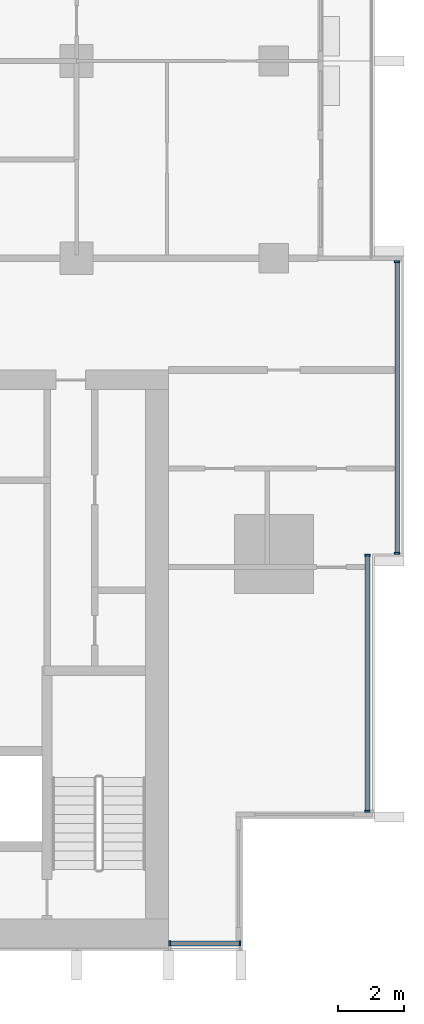
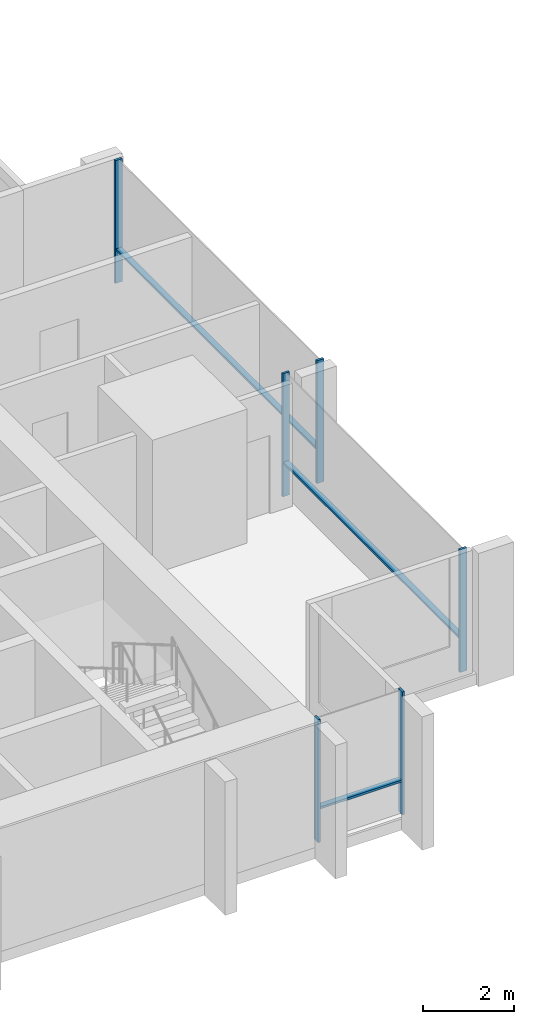
# One storey, part 3 of 17: 9 members, 3 elements without a shape of their own.
"""IFC4 building model written with IfcOpenShell, lengths in metres."""

import ifcopenshell
import ifcopenshell.guid

model = None  # the IFC model being written
_history = None  # IfcOwnerHistory: only IFC2X3 demands one
_inside = {}  # id of a spatial element -> (the spatial element, [elements in it])
_under = {}  # id of a project, library or spatial element -> (it, [spatial elements below it])
_declared = {}  # id of a project -> (the project, [libraries it declares])
_typed = {}  # id of a type object -> (the type object, [elements of that type])
_made_of = {}  # id of a material, layer set ... -> (it, [elements and type objects made of it])


def new_model(schema):
    """Start an empty IFC model of exactly this schema.

    Asked for "IFC4X3", IfcOpenShell would pick the latest addendum, in which some entities
    have other attributes; the version numbers below select the first issue.
    IFC2X3 requires an IfcOwnerHistory on every rooted entity: one is made here for all.
    """
    global model, _history
    if schema == "IFC4X3":
        model = ifcopenshell.file(schema_version=(4, 3, 0, 0))
    else:
        model = ifcopenshell.file(schema=schema)
    _inside.clear()
    _under.clear()
    _declared.clear()
    _typed.clear()
    _made_of.clear()
    _history = None
    if model.schema == "IFC2X3":
        org = make("IfcOrganization", Name="unknown")
        user = make(
            "IfcPersonAndOrganization",
            ThePerson=make("IfcPerson", FamilyName="unknown"),
            TheOrganization=org,
        )
        app = make(
            "IfcApplication",
            ApplicationDeveloper=org,
            Version="unknown",
            ApplicationFullName="unknown",
            ApplicationIdentifier="unknown",
        )
        _history = make(
            "IfcOwnerHistory",
            OwningUser=user,
            OwningApplication=app,
            ChangeAction="ADDED",
            CreationDate=0,
        )
    return model


def make(cls, **values):
    """One entity of the class cls with the attributes given. An attribute that is None is left unset."""
    return model.create_entity(
        cls, **{name: value for name, value in values.items() if value is not None}
    )


def rooted(cls, **values):
    """An entity with a GlobalId (a new one), such as an element, a storey or a relation."""
    return make(cls, GlobalId=ifcopenshell.guid.new(), OwnerHistory=_history, **values)


def si_unit(unit_type, name, prefix=None):
    """IfcSIUnit, for example si_unit("LENGTHUNIT", "METRE", prefix="MILLI")."""
    return make("IfcSIUnit", UnitType=unit_type, Prefix=prefix, Name=name)


def assignment(units):
    """IfcUnitAssignment: the units of a project."""
    return None if units is None else make("IfcUnitAssignment", Units=units)


def point(xyz):
    """IfcCartesianPoint."""
    return None if xyz is None else make("IfcCartesianPoint", Coordinates=xyz)


def direction(xyz):
    """IfcDirection."""
    return None if xyz is None else make("IfcDirection", DirectionRatios=xyz)


def frame(location, z_axis=None, x_axis=None):
    """IfcAxis2Placement3D, a coordinate frame: its origin and axes. An axis left out is left unset."""
    return make(
        "IfcAxis2Placement3D",
        Location=point(location),
        Axis=direction(z_axis),
        RefDirection=direction(x_axis),
    )


def frame_2d(location, x_axis=None):
    """IfcAxis2Placement2D, a coordinate frame in the plane: its origin and x axis."""
    return make(
        "IfcAxis2Placement2D", Location=point(location), RefDirection=direction(x_axis)
    )


def origin():
    """The frame at (0, 0, 0) with its axes left unset."""
    return frame((0.0, 0.0, 0.0))


def origin_2d():
    """The frame at (0, 0) in the plane with its x axis left unset."""
    return frame_2d((0.0, 0.0))


def place(relative_to, where):
    """IfcLocalPlacement: puts the frame where relative to a parent placement (None: the world)."""
    return make(
        "IfcLocalPlacement", PlacementRelTo=relative_to, RelativePlacement=where
    )


def context(
    kind, dimensions, precision=None, world=None, true_north=None, identifier=None
):
    """IfcGeometricRepresentationContext, for example the 3D "Model" context."""
    return make(
        "IfcGeometricRepresentationContext",
        ContextIdentifier=identifier,
        ContextType=kind,
        CoordinateSpaceDimension=dimensions,
        Precision=precision,
        WorldCoordinateSystem=world,
        TrueNorth=true_north,
    )


def subcontext(parent, identifier, kind, view, scale=None):
    """IfcGeometricRepresentationSubContext, for example "Body" below "Model"."""
    return make(
        "IfcGeometricRepresentationSubContext",
        ContextIdentifier=identifier,
        ContextType=kind,
        ParentContext=parent,
        TargetScale=scale,
        TargetView=view,
    )


def project(units=None, contexts=None):
    """IfcProject with its units and contexts."""
    return rooted(
        "IfcProject",
        Name="project",
        RepresentationContexts=contexts,
        UnitsInContext=assignment(units),
    )


def spatial(cls, under=None, at=None, **own):
    """A site, building, storey or space (cls), placed at a placement, below another one or the project."""
    s = rooted(cls, ObjectPlacement=at, **own)
    if under is not None:
        _under.setdefault(under.id(), (under, []))[1].append(s)
    return s


def profile(cls, at=None, kind="AREA", **sizes):
    """A parametric profile (cls). Its sizes go by their IFC names, for example OverallWidth=200.0."""
    return make(cls, ProfileType=kind, Position=at, **sizes)


def rectangle(**sizes):
    """IfcRectangleProfileDef."""
    return profile("IfcRectangleProfileDef", **sizes)


def extrude(swept, where, along, depth):
    """IfcExtrudedAreaSolid: the profile swept, set in the frame where, extruded along a direction by depth."""
    return make(
        "IfcExtrudedAreaSolid",
        SweptArea=swept,
        Position=where,
        ExtrudedDirection=direction(along),
        Depth=depth,
    )


def shape(context_of_items, identifier, shape_type, items):
    """IfcShapeRepresentation: the items that make up one representation, for example the "Body"."""
    return make(
        "IfcShapeRepresentation",
        ContextOfItems=context_of_items,
        RepresentationIdentifier=identifier,
        RepresentationType=shape_type,
        Items=items,
    )


def material(Name=None, Category=None):
    """IfcMaterial."""
    return make("IfcMaterial", Name=Name, Category=Category)


def material_profile(
    of_material, cross_section, Name=None, Category=None, Priority=None
):
    """IfcMaterialProfile: a cross section and its material."""
    return make(
        "IfcMaterialProfile",
        Name=Name,
        Material=of_material,
        Profile=cross_section,
        Priority=Priority,
        Category=Category,
    )


def profile_set(profiles, Name=None, composite=None):
    """IfcMaterialProfileSet."""
    return make(
        "IfcMaterialProfileSet",
        Name=Name,
        MaterialProfiles=profiles,
        CompositeProfile=composite,
    )


def made_of(thing, what):
    """Note that an element or type object is made of a material, layer set ...; save() writes the relation."""
    if what is not None:
        _made_of.setdefault(what.id(), (what, []))[1].append(thing)
    return thing


def type_object(cls, material=None, **own):
    """A type object (cls), such as IfcWallType, which elements share."""
    return made_of(rooted(cls, **own), material)


def element(
    cls,
    number,
    at=None,
    inside=None,
    cuts=None,
    type_object=None,
    material=None,
    context=None,
    identifier="Body",
    shape_type=None,
    held_by="IfcProductDefinitionShape",
    body=None,
    shapes=None,
    **own,
):
    """One element of the class cls, such as IfcWall. Its Tag is "e" and its number.

    at: its placement. inside: the storey or other place that contains it. cuts: it is an
    opening in that element (IfcRelVoidsElement). A single representation is given by context,
    identifier, shape_type and body (its items); several are given by shapes. held_by: the class
    of the entity that holds the representations. save() writes the other relations.
    """
    e = rooted(cls, Tag="e%d" % number, ObjectPlacement=at, **own)
    if body is not None:
        shapes = [shape(context, identifier, shape_type, body)]
    if shapes is not None:
        e.Representation = make(held_by, Representations=shapes)
    if inside is not None:
        _inside.setdefault(inside.id(), (inside, []))[1].append(e)
    if cuts is not None:
        rooted(
            "IfcRelVoidsElement", RelatingBuildingElement=cuts, RelatedOpeningElement=e
        )
    if type_object is not None:
        _typed.setdefault(type_object.id(), (type_object, []))[1].append(e)
    return made_of(e, material)


def aggregate(whole, parts):
    """IfcRelAggregates: a whole, such as a stair, and the parts it consists of."""
    return rooted("IfcRelAggregates", RelatingObject=whole, RelatedObjects=parts)


def save(model, path):
    """Write the relations noted so far, then the file.

    IfcRelAggregates (storeys below a building ...), IfcRelContainedInSpatialStructure (elements
    in a storey), IfcRelDefinesByType, IfcRelAssociatesMaterial and IfcRelDeclares: one each for
    every whole, place, type object, material and project.
    """
    for whole, parts in _under.values():
        aggregate(whole, parts)
    for where, things in _inside.values():
        rooted(
            "IfcRelContainedInSpatialStructure",
            RelatedElements=things,
            RelatingStructure=where,
        )
    for kind, things in _typed.values():
        rooted("IfcRelDefinesByType", RelatedObjects=things, RelatingType=kind)
    for what, things in _made_of.values():
        rooted("IfcRelAssociatesMaterial", RelatedObjects=things, RelatingMaterial=what)
    for by, libraries in _declared.values():
        rooted("IfcRelDeclares", RelatingContext=by, RelatedDefinitions=libraries)
    model.write(path)


model = new_model("IFC4")

# Units and contexts
model_context = context("Model", 3, precision=1e-05, world=origin(), true_north=direction((0.0, 1.0)))
body_context = subcontext(model_context, "Body", "Model", "MODEL_VIEW")
ifc_project = project(units=[si_unit("LENGTHUNIT", "METRE"), si_unit("AREAUNIT", "SQUARE_METRE"), si_unit("VOLUMEUNIT", "CUBIC_METRE"), si_unit("PLANEANGLEUNIT", "RADIAN"), si_unit("MASSUNIT", "GRAM", prefix="KILO")], contexts=[model_context])

# Site, building, storey
site_placement = place(None, origin())
site = spatial("IfcSite", under=ifc_project, at=site_placement, CompositionType="ELEMENT")
building_placement = place(site_placement, origin())
building = spatial("IfcBuilding", under=site, at=building_placement, Name="Finial Court Residences", CompositionType="ELEMENT")
storey_placement = place(building_placement, frame((0.0, 0.0, 152.89990234375)))
storey = spatial("IfcBuildingStorey", under=building, at=storey_placement, Name="L37", CompositionType="ELEMENT", Elevation=152.89990234375)

# Curtain wall, members
ifc_material = material(Name="Bronze anodised aluminium", Category="aluminium")
curtain_wall_type = type_object("IfcCurtainWallType", Name="Unitised curtain wall, upper zones", PredefinedType="NOTDEFINED", material=ifc_material)
curtain_wall_1_placement = place(storey_placement, origin())
curtain_wall_1 = element("IfcCurtainWall", 1, at=curtain_wall_1_placement, inside=storey, type_object=curtain_wall_type, Name="E-L37-CW-E4", PredefinedType="NOTDEFINED")
ifc_material_profile_1 = material_profile(ifc_material, rectangle(XDim=0.175048828125, YDim=0.06005859375, at=origin_2d()), Name="CW2 mullion 60 x 175")
ifc_profile_set_1 = profile_set([ifc_material_profile_1], Name="Bronze anodised aluminium")
member_type_1 = type_object("IfcMemberType", Name="CW2 mullion 60 x 175", PredefinedType="MULLION", material=ifc_profile_set_1)
member_1_placement = place(storey_placement, frame((19.35009765625, -21.320068359375, 0.0), z_axis=(0.0, 0.0, 1.0), x_axis=(-1.0, 0.0, 0.0)))
member_1 = element("IfcMember", 2, at=member_1_placement, type_object=member_type_1, Name="CW2 mullion 1", PredefinedType="MULLION", context=body_context, shape_type="SweptSolid", body=[
    extrude(rectangle(XDim=0.175048828125, YDim=0.06005859375, at=origin_2d()), origin(), (0.0, 0.0, 1.0), 3.300048828125),
])
member_2_placement = place(storey_placement, frame((19.35009765625, -13.530029296875, 0.0), z_axis=(0.0, 0.0, 1.0), x_axis=(-1.0, 0.0, 0.0)))
member_2 = element("IfcMember", 3, at=member_2_placement, type_object=member_type_1, Name="CW2 mullion 2", PredefinedType="MULLION", context=body_context, shape_type="SweptSolid", body=[
    extrude(rectangle(XDim=0.175048828125, YDim=0.06005859375, at=origin_2d()), origin(), (0.0, 0.0, 1.0), 3.300048828125),
])

curtain_wall_2_placement = place(storey_placement, origin())
curtain_wall_2 = element("IfcCurtainWall", 4, at=curtain_wall_2_placement, inside=storey, type_object=curtain_wall_type, Name="E-L37-CW-E5", PredefinedType="NOTDEFINED")
member_3_placement = place(storey_placement, frame((20.25, -13.469970703125, 0.0), z_axis=(0.0, 0.0, 1.0), x_axis=(-1.0, 0.0, 0.0)))
member_3 = element("IfcMember", 5, at=member_3_placement, type_object=member_type_1, Name="CW2 mullion 1", PredefinedType="MULLION", context=body_context, shape_type="SweptSolid", body=[
    extrude(rectangle(XDim=0.175048828125, YDim=0.06005859375, at=origin_2d()), origin(), (0.0, 0.0, 1.0), 3.300048828125),
])
member_4_placement = place(storey_placement, frame((20.25, -4.60498046875, 0.0), z_axis=(0.0, 0.0, 1.0), x_axis=(-1.0, 0.0, 0.0)))
member_4 = element("IfcMember", 6, at=member_4_placement, type_object=member_type_1, Name="CW2 mullion 2", PredefinedType="MULLION", context=body_context, shape_type="SweptSolid", body=[
    extrude(rectangle(XDim=0.175048828125, YDim=0.06005859375, at=origin_2d()), origin(), (0.0, 0.0, 1.0), 3.300048828125),
])

curtain_wall_3_placement = place(storey_placement, origin())
curtain_wall_3 = element("IfcCurtainWall", 7, at=curtain_wall_3_placement, inside=storey, type_object=curtain_wall_type, Name="E-L37-CW-S8", PredefinedType="NOTDEFINED")
member_5_placement = place(storey_placement, frame((13.330078125, -25.35009765625, 0.0), z_axis=(0.0, 0.0, 1.0), x_axis=(0.0, 1.0, 0.0)))
member_5 = element("IfcMember", 8, at=member_5_placement, type_object=member_type_1, Name="CW2 mullion 1", PredefinedType="MULLION", context=body_context, shape_type="SweptSolid", body=[
    extrude(rectangle(XDim=0.175048828125, YDim=0.06005859375, at=origin_2d()), origin(), (0.0, 0.0, 1.0), 3.300048828125),
])
member_6_placement = place(storey_placement, frame((15.469970703125, -25.35009765625, 0.0), z_axis=(0.0, 0.0, 1.0), x_axis=(0.0, 1.0, 0.0)))
member_6 = element("IfcMember", 9, at=member_6_placement, type_object=member_type_1, Name="CW2 mullion 2", PredefinedType="MULLION", context=body_context, shape_type="SweptSolid", body=[
    extrude(rectangle(XDim=0.175048828125, YDim=0.06005859375, at=origin_2d()), origin(), (0.0, 0.0, 1.0), 3.300048828125),
])

# Member
ifc_material_profile_2 = material_profile(ifc_material, rectangle(XDim=0.139892578125, YDim=0.06005859375, at=origin_2d()), Name="CW2 transom 60 x 140")
ifc_profile_set_2 = profile_set([ifc_material_profile_2], Name="Bronze anodised aluminium")
member_type_2 = type_object("IfcMemberType", Name="CW2 transom 60 x 140", PredefinedType="USERDEFINED", material=ifc_profile_set_2)
member_7_placement = place(storey_placement, frame((19.35009765625, -21.2900390625, 0.900146484375), z_axis=(0.0, 1.0, 0.0), x_axis=(-1.0, 0.0, 0.0)))
member_7 = element("IfcMember", 10, at=member_7_placement, type_object=member_type_2, Name="CW2 transom 1.1", ObjectType="TRANSOM", PredefinedType="USERDEFINED", context=body_context, shape_type="SweptSolid", body=[
    extrude(rectangle(XDim=0.139892578125, YDim=0.06005859375, at=origin_2d()), origin(), (0.0, 0.0, 1.0), 7.72998046875),
])

aggregate(curtain_wall_1, [member_1, member_2, member_7])

member_8_placement = place(storey_placement, frame((20.25, -13.43994140625, 0.900146484375), z_axis=(0.0, 1.0, 0.0), x_axis=(-1.0, 0.0, 0.0)))
member_8 = element("IfcMember", 11, at=member_8_placement, type_object=member_type_2, Name="CW2 transom 1.1", ObjectType="TRANSOM", PredefinedType="USERDEFINED", context=body_context, shape_type="SweptSolid", body=[
    extrude(rectangle(XDim=0.139892578125, YDim=0.06005859375, at=origin_2d()), origin(), (0.0, 0.0, 1.0), 8.804931640625),
])

aggregate(curtain_wall_2, [member_3, member_4, member_8])

member_9_placement = place(storey_placement, frame((13.360107421875, -25.35009765625, 0.900146484375), z_axis=(1.0, 0.0, 0.0), x_axis=(0.0, 1.0, 0.0)))
member_9 = element("IfcMember", 12, at=member_9_placement, type_object=member_type_2, Name="CW2 transom 1.1", ObjectType="TRANSOM", PredefinedType="USERDEFINED", context=body_context, shape_type="SweptSolid", body=[
    extrude(rectangle(XDim=0.139892578125, YDim=0.06005859375, at=origin_2d()), origin(), (0.0, 0.0, 1.0), 2.079833984375),
])

aggregate(curtain_wall_3, [member_5, member_6, member_9])

save(model, "model.ifc")
